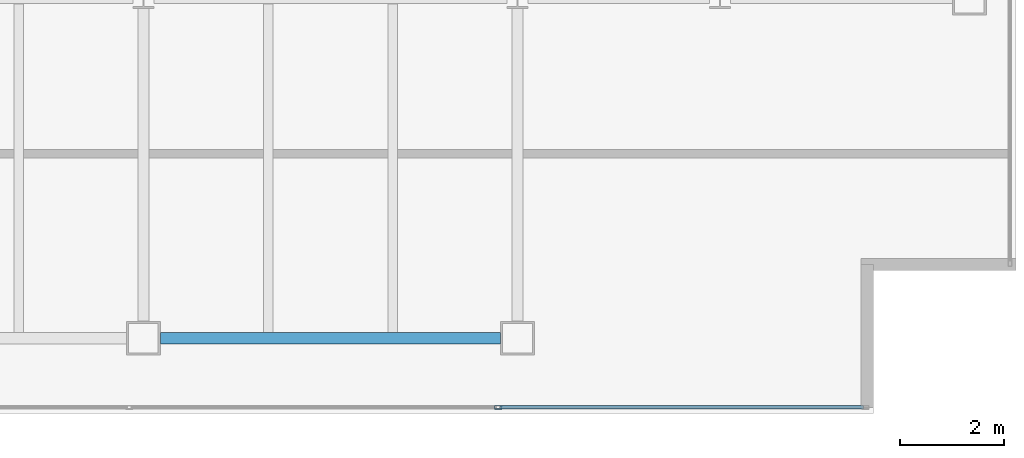
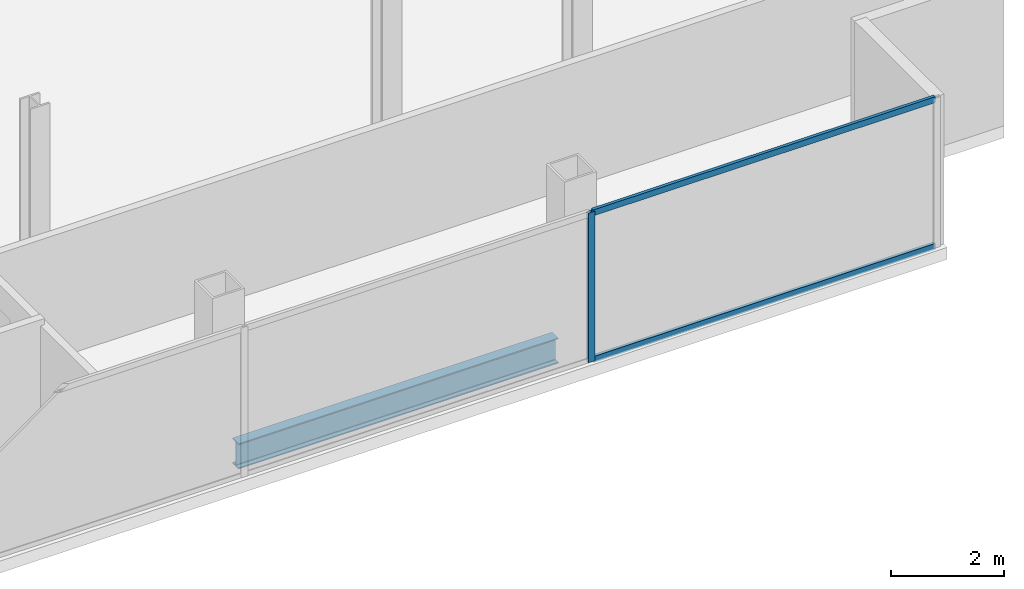
# One storey, part 12 of 24: 3 members, 1 beam, 1 element without a shape of its own.
"""IFC4 building model written with IfcOpenShell, lengths in metres."""

from ifc_helpers import new_model, si_unit, direction, frame, origin, origin_2d, place, context, subcontext, project, spatial, hollow_rectangle, i_section, extrude, material, material_profile, profile_set, type_object, element, aggregate, save


model = new_model("IFC4")

# Units and contexts
model_context = context("Model", 3, precision=1e-05, world=origin(), true_north=direction((0.0, 1.0)))
body_context = subcontext(model_context, "Body", "Model", "MODEL_VIEW")
ifc_project = project(units=[si_unit("LENGTHUNIT", "METRE"), si_unit("AREAUNIT", "SQUARE_METRE"), si_unit("VOLUMEUNIT", "CUBIC_METRE"), si_unit("PLANEANGLEUNIT", "RADIAN"), si_unit("MASSUNIT", "GRAM", prefix="KILO")], contexts=[model_context])

# Site, building, storey
site_placement = place(None, origin())
site = spatial("IfcSite", under=ifc_project, at=site_placement, CompositionType="ELEMENT")
building_placement = place(site_placement, origin())
building = spatial("IfcBuilding", under=site, at=building_placement, Name="Cobrela Telecom Tower", CompositionType="ELEMENT")
storey_placement = place(building_placement, frame((0.0, 0.0, 244.64990234375)))
storey = spatial("IfcBuildingStorey", under=building, at=storey_placement, Name="L63", CompositionType="ELEMENT", Elevation=244.64990234375)

# Beam
ifc_material_1 = material(Name="Steel ASTM A992 Grade 50", Category="steel")
ifc_material_profile_1 = material_profile(ifc_material_1, i_section(OverallWidth=0.212890625, OverallDepth=0.549072265625, WebThickness=0.0146484375, FlangeThickness=0.023681640625, FilletRadius=0.013916015625, at=origin_2d()), Name="W21X93")
ifc_profile_set_1 = profile_set([ifc_material_profile_1], Name="Steel ASTM A992 Grade 50")
beam_type = type_object("IfcBeamType", Name="BM-GIRD-08", PredefinedType="USERDEFINED", material=ifc_profile_set_1)
beam_placement = place(storey_placement, frame((29.1298828125, 7.85009765625, -0.534423828125), z_axis=(1.0, 0.0, 0.0), x_axis=(0.0, 1.0, 0.0)))
element("IfcBeam", 1, at=beam_placement, inside=storey, type_object=beam_type, Name="L63 Primary Girder X04", ObjectType="GIRDER", PredefinedType="USERDEFINED", context=body_context, shape_type="SweptSolid", body=[
    extrude(i_section(OverallWidth=0.212890625, OverallDepth=0.549072265625, WebThickness=0.0146484375, FlangeThickness=0.023681640625, FilletRadius=0.013916015625, at=origin_2d()), origin(), (0.0, 0.0, 1.0), 6.5400390625),
])

# Curtain wall, members
ifc_material_2 = material(Name="Anodized Bronze Aluminium 6063-T6", Category="aluminium")
curtain_wall_type = type_object("IfcCurtainWallType", Name="CW-SYS-OFF-HI", PredefinedType="USERDEFINED", material=ifc_material_2)
curtain_wall_placement = place(storey_placement, origin())
curtain_wall = element("IfcCurtainWall", 2, at=curtain_wall_placement, inside=storey, type_object=curtain_wall_type, Name="L63 Unitised Bronze Curtain Wall 15", ObjectType="UNITISED CURTAIN WALL", PredefinedType="USERDEFINED")
ifc_material_profile_2 = material_profile(ifc_material_2, hollow_rectangle(XDim=0.070068359375, YDim=0.139892578125, WallThickness=0.00390625, at=origin_2d()), Name="ALU 70x140x4")
ifc_profile_set_2 = profile_set([ifc_material_profile_2], Name="Anodized Bronze Aluminium 6063-T6")
member_type_1 = type_object("IfcMemberType", Name="CW-SYS-OFF-HI-MUL", PredefinedType="MULLION", material=ifc_profile_set_2)
member_1_placement = place(storey_placement, frame((35.62841796875, 6.52001953125, 0.0), z_axis=(0.0, 0.0, 1.0), x_axis=(0.0, -1.0, 0.0)))
member_1 = element("IfcMember", 3, at=member_1_placement, type_object=member_type_1, Name="CW-OFF-HI mullion 2", PredefinedType="MULLION", context=body_context, shape_type="SweptSolid", body=[
    extrude(hollow_rectangle(XDim=0.070068359375, YDim=0.139892578125, WallThickness=0.00390625, at=origin_2d()), origin(), (0.0, 0.0, 1.0), 3.239990234375),
])
ifc_material_profile_3 = material_profile(ifc_material_2, hollow_rectangle(XDim=0.06494140625, YDim=0.1298828125, WallThickness=0.00390625, at=origin_2d()), Name="ALU 65x130x4")
ifc_profile_set_3 = profile_set([ifc_material_profile_3], Name="Anodized Bronze Aluminium 6063-T6")
member_type_2 = type_object("IfcMemberType", Name="CW-SYS-OFF-HI-TRN", PredefinedType="USERDEFINED", material=ifc_profile_set_3)
member_2_placement = place(storey_placement, frame((42.659912109375, 6.52001953125, 0.03271484375), z_axis=(-1.0, 0.0, 0.0), x_axis=(0.0, -1.0, 0.0)))
member_2 = element("IfcMember", 4, at=member_2_placement, type_object=member_type_2, Name="CW-OFF-HI transom 1.1", ObjectType="TRANSOM", PredefinedType="USERDEFINED", context=body_context, shape_type="SweptSolid", body=[
    extrude(hollow_rectangle(XDim=0.06494140625, YDim=0.1298828125, WallThickness=0.00390625, at=origin_2d()), origin(), (0.0, 0.0, 1.0), 6.99658203125),
])
member_3_placement = place(storey_placement, frame((42.659912109375, 6.52001953125, 3.20751953125), z_axis=(-1.0, 0.0, 0.0), x_axis=(0.0, -1.0, 0.0)))
member_3 = element("IfcMember", 5, at=member_3_placement, type_object=member_type_2, Name="CW-OFF-HI transom 1.2", ObjectType="TRANSOM", PredefinedType="USERDEFINED", context=body_context, shape_type="SweptSolid", body=[
    extrude(hollow_rectangle(XDim=0.06494140625, YDim=0.1298828125, WallThickness=0.00390625, at=origin_2d()), origin(), (0.0, 0.0, 1.0), 6.99658203125),
])
aggregate(curtain_wall, [member_1, member_2, member_3])

save(model, "model.ifc")
